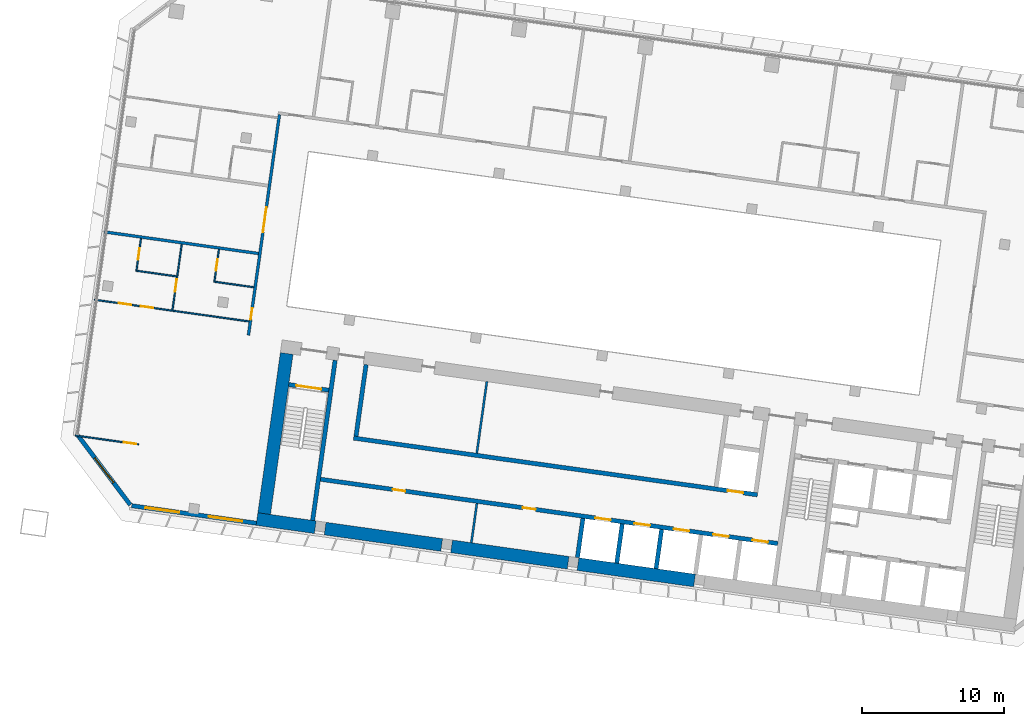
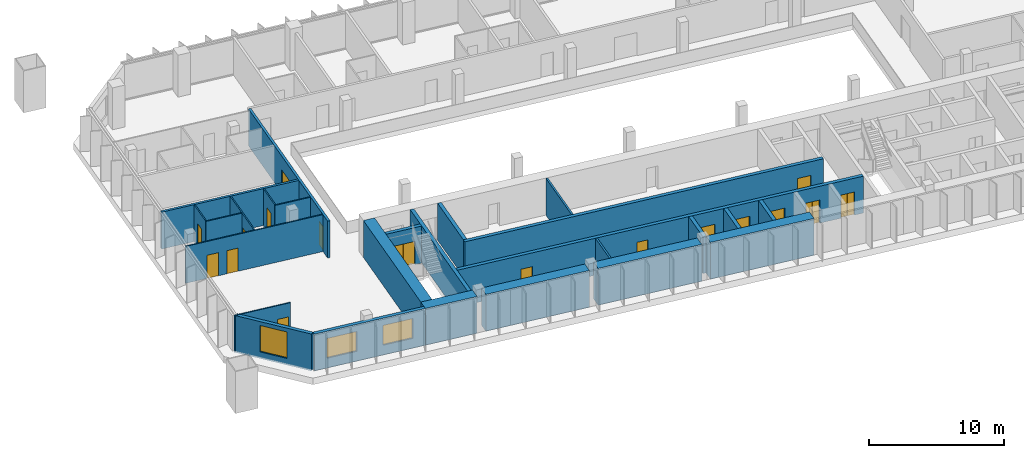
# One storey, part 14 of 24: 26 walls, 17 doors, 3 windows, 20 openings.
"""IFC4 building model written with IfcOpenShell, lengths in metres."""

import ifcopenshell
import ifcopenshell.guid

model = None  # the IFC model being written
_history = None  # IfcOwnerHistory: only IFC2X3 demands one
_inside = {}  # id of a spatial element -> (the spatial element, [elements in it])
_under = {}  # id of a project, library or spatial element -> (it, [spatial elements below it])
_declared = {}  # id of a project -> (the project, [libraries it declares])
_typed = {}  # id of a type object -> (the type object, [elements of that type])
_made_of = {}  # id of a material, layer set ... -> (it, [elements and type objects made of it])


def new_model(schema):
    """Start an empty IFC model of exactly this schema.

    Asked for "IFC4X3", IfcOpenShell would pick the latest addendum, in which some entities
    have other attributes; the version numbers below select the first issue.
    IFC2X3 requires an IfcOwnerHistory on every rooted entity: one is made here for all.
    """
    global model, _history
    if schema == "IFC4X3":
        model = ifcopenshell.file(schema_version=(4, 3, 0, 0))
    else:
        model = ifcopenshell.file(schema=schema)
    _inside.clear()
    _under.clear()
    _declared.clear()
    _typed.clear()
    _made_of.clear()
    _history = None
    if model.schema == "IFC2X3":
        org = make("IfcOrganization", Name="unknown")
        user = make(
            "IfcPersonAndOrganization",
            ThePerson=make("IfcPerson", FamilyName="unknown"),
            TheOrganization=org,
        )
        app = make(
            "IfcApplication",
            ApplicationDeveloper=org,
            Version="unknown",
            ApplicationFullName="unknown",
            ApplicationIdentifier="unknown",
        )
        _history = make(
            "IfcOwnerHistory",
            OwningUser=user,
            OwningApplication=app,
            ChangeAction="ADDED",
            CreationDate=0,
        )
    return model


def make(cls, **values):
    """One entity of the class cls with the attributes given. An attribute that is None is left unset."""
    return model.create_entity(
        cls, **{name: value for name, value in values.items() if value is not None}
    )


def rooted(cls, **values):
    """An entity with a GlobalId (a new one), such as an element, a storey or a relation."""
    return make(cls, GlobalId=ifcopenshell.guid.new(), OwnerHistory=_history, **values)


def si_unit(unit_type, name, prefix=None):
    """IfcSIUnit, for example si_unit("LENGTHUNIT", "METRE", prefix="MILLI")."""
    return make("IfcSIUnit", UnitType=unit_type, Prefix=prefix, Name=name)


def assignment(units):
    """IfcUnitAssignment: the units of a project."""
    return None if units is None else make("IfcUnitAssignment", Units=units)


def point(xyz):
    """IfcCartesianPoint."""
    return None if xyz is None else make("IfcCartesianPoint", Coordinates=xyz)


def direction(xyz):
    """IfcDirection."""
    return None if xyz is None else make("IfcDirection", DirectionRatios=xyz)


def frame(location, z_axis=None, x_axis=None):
    """IfcAxis2Placement3D, a coordinate frame: its origin and axes. An axis left out is left unset."""
    return make(
        "IfcAxis2Placement3D",
        Location=point(location),
        Axis=direction(z_axis),
        RefDirection=direction(x_axis),
    )


def frame_2d(location, x_axis=None):
    """IfcAxis2Placement2D, a coordinate frame in the plane: its origin and x axis."""
    return make(
        "IfcAxis2Placement2D", Location=point(location), RefDirection=direction(x_axis)
    )


def origin():
    """The frame at (0, 0, 0) with its axes left unset."""
    return frame((0.0, 0.0, 0.0))


def place(relative_to, where):
    """IfcLocalPlacement: puts the frame where relative to a parent placement (None: the world)."""
    return make(
        "IfcLocalPlacement", PlacementRelTo=relative_to, RelativePlacement=where
    )


def context(
    kind, dimensions, precision=None, world=None, true_north=None, identifier=None
):
    """IfcGeometricRepresentationContext, for example the 3D "Model" context."""
    return make(
        "IfcGeometricRepresentationContext",
        ContextIdentifier=identifier,
        ContextType=kind,
        CoordinateSpaceDimension=dimensions,
        Precision=precision,
        WorldCoordinateSystem=world,
        TrueNorth=true_north,
    )


def subcontext(parent, identifier, kind, view, scale=None):
    """IfcGeometricRepresentationSubContext, for example "Body" below "Model"."""
    return make(
        "IfcGeometricRepresentationSubContext",
        ContextIdentifier=identifier,
        ContextType=kind,
        ParentContext=parent,
        TargetScale=scale,
        TargetView=view,
    )


def project(units=None, contexts=None):
    """IfcProject with its units and contexts."""
    return rooted(
        "IfcProject",
        Name="project",
        RepresentationContexts=contexts,
        UnitsInContext=assignment(units),
    )


def spatial(cls, under=None, at=None, **own):
    """A site, building, storey or space (cls), placed at a placement, below another one or the project."""
    s = rooted(cls, ObjectPlacement=at, **own)
    if under is not None:
        _under.setdefault(under.id(), (under, []))[1].append(s)
    return s


def profile(cls, at=None, kind="AREA", **sizes):
    """A parametric profile (cls). Its sizes go by their IFC names, for example OverallWidth=200.0."""
    return make(cls, ProfileType=kind, Position=at, **sizes)


def rectangle(**sizes):
    """IfcRectangleProfileDef."""
    return profile("IfcRectangleProfileDef", **sizes)


def extrude(swept, where, along, depth):
    """IfcExtrudedAreaSolid: the profile swept, set in the frame where, extruded along a direction by depth."""
    return make(
        "IfcExtrudedAreaSolid",
        SweptArea=swept,
        Position=where,
        ExtrudedDirection=direction(along),
        Depth=depth,
    )


def shape(context_of_items, identifier, shape_type, items):
    """IfcShapeRepresentation: the items that make up one representation, for example the "Body"."""
    return make(
        "IfcShapeRepresentation",
        ContextOfItems=context_of_items,
        RepresentationIdentifier=identifier,
        RepresentationType=shape_type,
        Items=items,
    )


def material(Name=None, Category=None):
    """IfcMaterial."""
    return make("IfcMaterial", Name=Name, Category=Category)


def layer(
    of_material, thickness, ventilated=None, Name=None, Category=None, Priority=None
):
    """IfcMaterialLayer: one layer of a wall or slab, of a material (None: an air gap)."""
    return make(
        "IfcMaterialLayer",
        Material=of_material,
        LayerThickness=thickness,
        IsVentilated=ventilated,
        Name=Name,
        Category=Category,
        Priority=Priority,
    )


def layer_set(layers, Name=None):
    """IfcMaterialLayerSet."""
    return make("IfcMaterialLayerSet", MaterialLayers=layers, LayerSetName=Name)


def made_of(thing, what):
    """Note that an element or type object is made of a material, layer set ...; save() writes the relation."""
    if what is not None:
        _made_of.setdefault(what.id(), (what, []))[1].append(thing)
    return thing


def type_object(cls, material=None, **own):
    """A type object (cls), such as IfcWallType, which elements share."""
    return made_of(rooted(cls, **own), material)


def element(
    cls,
    number,
    at=None,
    inside=None,
    cuts=None,
    type_object=None,
    material=None,
    context=None,
    identifier="Body",
    shape_type=None,
    held_by="IfcProductDefinitionShape",
    body=None,
    shapes=None,
    **own,
):
    """One element of the class cls, such as IfcWall. Its Tag is "e" and its number.

    at: its placement. inside: the storey or other place that contains it. cuts: it is an
    opening in that element (IfcRelVoidsElement). A single representation is given by context,
    identifier, shape_type and body (its items); several are given by shapes. held_by: the class
    of the entity that holds the representations. save() writes the other relations.
    """
    e = rooted(cls, Tag="e%d" % number, ObjectPlacement=at, **own)
    if body is not None:
        shapes = [shape(context, identifier, shape_type, body)]
    if shapes is not None:
        e.Representation = make(held_by, Representations=shapes)
    if inside is not None:
        _inside.setdefault(inside.id(), (inside, []))[1].append(e)
    if cuts is not None:
        rooted(
            "IfcRelVoidsElement", RelatingBuildingElement=cuts, RelatedOpeningElement=e
        )
    if type_object is not None:
        _typed.setdefault(type_object.id(), (type_object, []))[1].append(e)
    return made_of(e, material)


def fill(opening, filler):
    """IfcRelFillsElement: the door or window that sits in an opening."""
    return rooted(
        "IfcRelFillsElement",
        RelatingOpeningElement=opening,
        RelatedBuildingElement=filler,
    )


def aggregate(whole, parts):
    """IfcRelAggregates: a whole, such as a stair, and the parts it consists of."""
    return rooted("IfcRelAggregates", RelatingObject=whole, RelatedObjects=parts)


def save(model, path):
    """Write the relations noted so far, then the file.

    IfcRelAggregates (storeys below a building ...), IfcRelContainedInSpatialStructure (elements
    in a storey), IfcRelDefinesByType, IfcRelAssociatesMaterial and IfcRelDeclares: one each for
    every whole, place, type object, material and project.
    """
    for whole, parts in _under.values():
        aggregate(whole, parts)
    for where, things in _inside.values():
        rooted(
            "IfcRelContainedInSpatialStructure",
            RelatedElements=things,
            RelatingStructure=where,
        )
    for kind, things in _typed.values():
        rooted("IfcRelDefinesByType", RelatedObjects=things, RelatingType=kind)
    for what, things in _made_of.values():
        rooted("IfcRelAssociatesMaterial", RelatedObjects=things, RelatingMaterial=what)
    for by, libraries in _declared.values():
        rooted("IfcRelDeclares", RelatingContext=by, RelatedDefinitions=libraries)
    model.write(path)


model = new_model("IFC4")

# Units and contexts
model_context = context("Model", 3, precision=1e-05, world=origin(), true_north=direction((0.0, 1.0)))
body_context = subcontext(model_context, "Body", "Model", "MODEL_VIEW")
ifc_project = project(units=[si_unit("LENGTHUNIT", "METRE"), si_unit("AREAUNIT", "SQUARE_METRE"), si_unit("VOLUMEUNIT", "CUBIC_METRE"), si_unit("PLANEANGLEUNIT", "RADIAN"), si_unit("MASSUNIT", "GRAM", prefix="KILO")], contexts=[model_context])

# Site, building, storey
site_placement = place(None, origin())
site = spatial("IfcSite", under=ifc_project, at=site_placement, CompositionType="ELEMENT")
building_placement = place(site_placement, origin())
building = spatial("IfcBuilding", under=site, at=building_placement, Name="Mirante Cascada Hotel Towers", CompositionType="ELEMENT")
storey_placement = place(building_placement, frame((0.0, 0.0, 77.5)))
storey = spatial("IfcBuildingStorey", under=building, at=storey_placement, Name="L16", CompositionType="ELEMENT", Elevation=77.5)

# Wall
ifc_material_1 = material(Name="Fire-rated plasterboard on metal studs")
ifc_layer_1 = layer(ifc_material_1, 0.2)
ifc_layer_set_1 = layer_set([ifc_layer_1], Name="Compartment wall 200 EI 120")
wall_type_1 = type_object("IfcWallType", Name="Compartment wall 200 EI 120", PredefinedType="PARTITIONING", material=ifc_layer_set_1)
wall_1_placement = place(storey_placement, frame((-101.2993, 8.0205, 0.0), z_axis=(0.0, 0.0, 1.0), x_axis=(0.990268, -0.1391733, 0.0)))
element("IfcWall", 1, at=wall_1_placement, inside=storey, type_object=wall_type_1, Name="Wall 1-L16-08", PredefinedType="PARTITIONING", context=body_context, shape_type="SweptSolid", body=[
    extrude(rectangle(XDim=11.0, YDim=0.2, at=frame_2d((5.5, 0.0))), origin(), (0.0, 0.0, 1.0), 3.35),
])

# Wall, openings, doors
wall_2_placement = place(storey_placement, frame((-91.1145, 0.7321, 0.0), z_axis=(0.0, 0.0, 1.0), x_axis=(0.1391721, 0.9902682, 0.0)))
wall_2 = element("IfcWall", 2, at=wall_2_placement, inside=storey, type_object=wall_type_1, Name="Wall 1-L16-41", PredefinedType="PARTITIONING", context=body_context, shape_type="SweptSolid", body=[
    extrude(rectangle(XDim=15.7, YDim=0.2, at=frame_2d((7.85, 0.0))), origin(), (0.0, 0.0, 1.0), 3.35),
])
opening_1_placement = place(wall_2_placement, frame((1.1167, 0.0, 0.0)))
opening_1 = element("IfcOpeningElement", 3, at=opening_1_placement, cuts=wall_2, Name="Opening D1-L16-25", PredefinedType="OPENING", context=body_context, shape_type="SweptSolid", body=[
    extrude(rectangle(XDim=0.8, YDim=2.1, at=frame_2d((0.4, 1.05))), frame((0.0, 0.1, 0.0), z_axis=(0.0, -1.0, 0.0), x_axis=(1.0, 0.0, 0.0)), (0.0, 0.0, 1.0), 0.2),
])
opening_2_placement = place(wall_2_placement, frame((7.3167, 0.0, 0.0)))
opening_2 = element("IfcOpeningElement", 4, at=opening_2_placement, cuts=wall_2, Name="Opening D1-L16-26", PredefinedType="OPENING", context=body_context, shape_type="SweptSolid", body=[
    extrude(rectangle(XDim=1.8, YDim=2.1, at=frame_2d((0.9, 1.05))), frame((0.0, 0.1, 0.0), z_axis=(0.0, -1.0, 0.0), x_axis=(1.0, 0.0, 0.0)), (0.0, 0.0, 1.0), 0.2),
])
ifc_material_2 = material(Name="Fire-rated timber door leaf", Category="wood")
door_type_1 = type_object("IfcDoorType", Name="Bathroom door DG4 800x2100 EI 60", OperationType="SINGLE_SWING_LEFT", PredefinedType="DOOR", material=ifc_material_2)
door_1_placement = place(opening_1_placement, frame((0.8, 0.0, 0.0), z_axis=(0.0, 0.0, 1.0), x_axis=(-1.0, 0.0, 0.0)))
door_1 = element("IfcDoor", 5, at=door_1_placement, inside=storey, type_object=door_type_1, Name="Door D1-L16-25", OperationType="SINGLE_SWING_RIGHT", OverallHeight=2.1, OverallWidth=0.8, PredefinedType="DOOR", context=body_context, shape_type="SweptSolid", body=[
    extrude(rectangle(XDim=0.8, YDim=2.1, at=frame_2d((0.4, 1.05))), frame((0.0, 0.025, 0.0), z_axis=(0.0, -1.0, 0.0), x_axis=(1.0, 0.0, 0.0)), (0.0, 0.0, 1.0), 0.05),
])
fill(opening_1, door_1)
ifc_material_3 = material(Name="Fire-rated timber door leaf", Category="wood")
door_type_2 = type_object("IfcDoorType", Name="Suite double door DG2 1800x2100 EI 60", OperationType="DOUBLE_DOOR_SINGLE_SWING", PredefinedType="DOOR", material=ifc_material_3)
door_2_placement = place(opening_2_placement, origin())
door_2 = element("IfcDoor", 6, at=door_2_placement, inside=storey, type_object=door_type_2, Name="Door D1-L16-26", OperationType="DOUBLE_DOOR_SINGLE_SWING", OverallHeight=2.1, OverallWidth=1.8, PredefinedType="DOOR", context=body_context, shape_type="SweptSolid", body=[
    extrude(rectangle(XDim=0.895, YDim=2.1, at=frame_2d((0.4475, 1.05))), frame((0.0, 0.025, 0.0), z_axis=(0.0, -1.0, 0.0), x_axis=(1.0, 0.0, 0.0)), (0.0, 0.0, 1.0), 0.05),
    extrude(rectangle(XDim=0.895, YDim=2.1, at=frame_2d((1.3525, 1.05))), frame((0.0, 0.025, 0.0), z_axis=(0.0, -1.0, 0.0), x_axis=(1.0, 0.0, 0.0)), (0.0, 0.0, 1.0), 0.05),
])
fill(opening_2, door_2)

# Walls
ifc_material_4 = material(Name="Masonry block", Category="masonry")
ifc_layer_2 = layer(ifc_material_4, 0.15)
ifc_layer_set_2 = layer_set([ifc_layer_2], Name="Core room partition 150 block EI 30")
wall_type_2 = type_object("IfcWallType", Name="Core room partition 150 block EI 30", PredefinedType="PARTITIONING", material=ifc_layer_set_2)
wall_3_placement = place(storey_placement, frame((-75.3976, -13.8977, 0.0), z_axis=(0.0, 0.0, 1.0), x_axis=(0.139141, 0.9902726, 0.0)))
element("IfcWall", 7, at=wall_3_placement, inside=storey, type_object=wall_type_2, Name="Core wall partition T1 L16 4", PredefinedType="PARTITIONING", context=body_context, shape_type="SweptSolid", body=[
    extrude(rectangle(XDim=2.8, YDim=0.15, at=frame_2d((1.4, 0.0))), origin(), (0.0, 0.0, 1.0), 3.35),
])
wall_4_placement = place(storey_placement, frame((-75.016, -7.5894, 0.0), z_axis=(0.0, 0.0, 1.0), x_axis=(0.1391755, 0.9902677, 0.0)))
element("IfcWall", 8, at=wall_4_placement, inside=storey, type_object=wall_type_2, Name="Core wall partition T1 L16 5", PredefinedType="PARTITIONING", context=body_context, shape_type="SweptSolid", body=[
    extrude(rectangle(XDim=5.1, YDim=0.15, at=frame_2d((2.55, 0.0))), origin(), (0.0, 0.0, 1.0), 3.35),
])

# Wall, opening, door
ifc_material_5 = material(Name="Plasterboard on metal studs")
ifc_layer_3 = layer(ifc_material_5, 0.1)
ifc_layer_set_3 = layer_set([ifc_layer_3], Name="Partition 100")
wall_type_3 = type_object("IfcWallType", Name="Partition 100", PredefinedType="PARTITIONING", material=ifc_layer_set_3)
wall_5_placement = place(storey_placement, frame((-98.8611, -6.9647, 0.0), z_axis=(0.0, 0.0, 1.0), x_axis=(-0.9902674, 0.1391779, 0.0)))
wall_5 = element("IfcWall", 9, at=wall_5_placement, inside=storey, type_object=wall_type_3, Name="Wall 1-L16-01", PredefinedType="PARTITIONING", context=body_context, shape_type="SweptSolid", body=[
    extrude(rectangle(XDim=4.5, YDim=0.1, at=frame_2d((2.25, 0.0))), origin(), (0.0, 0.0, 1.0), 3.35),
])
opening_3_placement = place(wall_5_placement, frame((0.15, 0.0, 0.0)))
opening_3 = element("IfcOpeningElement", 10, at=opening_3_placement, cuts=wall_5, Name="Opening D1-L16-01", PredefinedType="OPENING", context=body_context, shape_type="SweptSolid", body=[
    extrude(rectangle(XDim=0.9, YDim=2.1, at=frame_2d((0.45, 1.05))), frame((0.0, 0.05, 0.0), z_axis=(0.0, -1.0, 0.0), x_axis=(1.0, 0.0, 0.0)), (0.0, 0.0, 1.0), 0.1),
])
ifc_material_6 = material(Name="Timber door leaf", Category="wood")
door_type_3 = type_object("IfcDoorType", Name="Room door DG3 900x2100", OperationType="SINGLE_SWING_LEFT", PredefinedType="DOOR", material=ifc_material_6)
door_3_placement = place(opening_3_placement, frame((0.9, 0.0, 0.0), z_axis=(0.0, 0.0, 1.0), x_axis=(-1.0, 0.0, 0.0)))
door_3 = element("IfcDoor", 11, at=door_3_placement, inside=storey, type_object=door_type_3, Name="Door D1-L16-01", OperationType="SINGLE_SWING_RIGHT", OverallHeight=2.1, OverallWidth=0.9, PredefinedType="DOOR", context=body_context, shape_type="SweptSolid", body=[
    extrude(rectangle(XDim=0.9, YDim=2.1, at=frame_2d((0.45, 1.05))), frame((0.0, 0.025, 0.0), z_axis=(0.0, -1.0, 0.0), x_axis=(1.0, 0.0, 0.0)), (0.0, 0.0, 1.0), 0.05),
])
fill(opening_3, door_3)

# Wall, openings, doors
wall_6_placement = place(storey_placement, frame((-101.972, 3.2342, 0.0), z_axis=(0.0, 0.0, 1.0), x_axis=(0.9902682, -0.1391721, 0.0)))
wall_6 = element("IfcWall", 12, at=wall_6_placement, inside=storey, type_object=wall_type_3, Name="Wall 1-L16-02", PredefinedType="PARTITIONING", context=body_context, shape_type="SweptSolid", body=[
    extrude(rectangle(XDim=11.0001, YDim=0.1, at=frame_2d((5.5, 0.0))), origin(), (0.0, 0.0, 1.0), 3.35),
])
opening_4_placement = place(wall_6_placement, frame((3.3, 0.0, 0.0)))
opening_4 = element("IfcOpeningElement", 13, at=opening_4_placement, cuts=wall_6, Name="Opening D1-L16-02", PredefinedType="OPENING", context=body_context, shape_type="SweptSolid", body=[
    extrude(rectangle(XDim=0.9, YDim=2.1, at=frame_2d((0.45, 1.05))), frame((0.0, 0.05, 0.0), z_axis=(0.0, -1.0, 0.0), x_axis=(1.0, 0.0, 0.0)), (0.0, 0.0, 1.0), 0.1),
])
opening_5_placement = place(wall_6_placement, frame((1.725, 0.0, 0.0)))
opening_5 = element("IfcOpeningElement", 14, at=opening_5_placement, cuts=wall_6, Name="Opening D1-L16-03", PredefinedType="OPENING", context=body_context, shape_type="SweptSolid", body=[
    extrude(rectangle(XDim=0.9, YDim=2.1, at=frame_2d((0.45, 1.05))), frame((0.0, 0.05, 0.0), z_axis=(0.0, -1.0, 0.0), x_axis=(1.0, 0.0, 0.0)), (0.0, 0.0, 1.0), 0.1),
])
door_4_placement = place(opening_4_placement, frame((0.9, 0.0, 0.0), z_axis=(0.0, 0.0, 1.0), x_axis=(-1.0, 0.0, 0.0)))
door_4 = element("IfcDoor", 15, at=door_4_placement, inside=storey, type_object=door_type_3, Name="Door D1-L16-02", OperationType="SINGLE_SWING_RIGHT", OverallHeight=2.1, OverallWidth=0.9, PredefinedType="DOOR", context=body_context, shape_type="SweptSolid", body=[
    extrude(rectangle(XDim=0.9, YDim=2.1, at=frame_2d((0.45, 1.05))), frame((0.0, 0.025, 0.0), z_axis=(0.0, -1.0, 0.0), x_axis=(1.0, 0.0, 0.0)), (0.0, 0.0, 1.0), 0.05),
])
fill(opening_4, door_4)
door_5_placement = place(opening_5_placement, frame((0.9, 0.0, 0.0), z_axis=(0.0, 0.0, 1.0), x_axis=(-1.0, 0.0, 0.0)))
door_5 = element("IfcDoor", 16, at=door_5_placement, inside=storey, type_object=door_type_3, Name="Door D1-L16-03", OperationType="SINGLE_SWING_RIGHT", OverallHeight=2.1, OverallWidth=0.9, PredefinedType="DOOR", context=body_context, shape_type="SweptSolid", body=[
    extrude(rectangle(XDim=0.9, YDim=2.1, at=frame_2d((0.45, 1.05))), frame((0.0, 0.025, 0.0), z_axis=(0.0, -1.0, 0.0), x_axis=(1.0, 0.0, 0.0)), (0.0, 0.0, 1.0), 0.05),
])
fill(opening_5, door_5)

# Walls
wall_7_placement = place(storey_placement, frame((-90.7404, 4.1129, 0.0), z_axis=(0.0, 0.0, 1.0), x_axis=(-0.9902649, 0.1391957, 0.0)))
element("IfcWall", 17, at=wall_7_placement, inside=storey, type_object=wall_type_3, Name="Wall 1-L16-05", PredefinedType="PARTITIONING", context=body_context, shape_type="SweptSolid", body=[
    extrude(rectangle(XDim=2.8499, YDim=0.1, at=frame_2d((1.425, 0.0))), origin(), (0.0, 0.0, 1.0), 3.35),
])
wall_8_placement = place(storey_placement, frame((-99.0586, 5.282, 0.0), z_axis=(0.0, 0.0, 1.0), x_axis=(0.9902683, -0.1391714, 0.0)))
element("IfcWall", 18, at=wall_8_placement, inside=storey, type_object=wall_type_3, Name="Wall 1-L16-06", PredefinedType="PARTITIONING", context=body_context, shape_type="SweptSolid", body=[
    extrude(rectangle(XDim=2.9, YDim=0.1, at=frame_2d((1.45, 0.0))), origin(), (0.0, 0.0, 1.0), 3.35),
])

# Wall, opening, door
wall_9_placement = place(storey_placement, frame((-93.193, 6.7802, 0.0), z_axis=(0.0, 0.0, 1.0), x_axis=(-0.1391997, -0.9902643, 0.0)))
wall_9 = element("IfcWall", 19, at=wall_9_placement, inside=storey, type_object=wall_type_3, Name="Wall 1-L16-42", PredefinedType="PARTITIONING", context=body_context, shape_type="SweptSolid", body=[
    extrude(rectangle(XDim=2.25, YDim=0.1, at=frame_2d((1.125, 0.0))), origin(), (0.0, 0.0, 1.0), 3.35),
])
opening_6_placement = place(wall_9_placement, frame((0.7, 0.0, 0.0)))
opening_6 = element("IfcOpeningElement", 20, at=opening_6_placement, cuts=wall_9, Name="Opening D1-L16-27", PredefinedType="OPENING", context=body_context, shape_type="SweptSolid", body=[
    extrude(rectangle(XDim=0.8, YDim=2.1, at=frame_2d((0.4, 1.05))), frame((0.0, 0.05, 0.0), z_axis=(0.0, -1.0, 0.0), x_axis=(1.0, 0.0, 0.0)), (0.0, 0.0, 1.0), 0.1),
])
ifc_material_7 = material(Name="Timber door leaf", Category="wood")
door_type_4 = type_object("IfcDoorType", Name="Bathroom door DG4 800x2100", OperationType="SINGLE_SWING_LEFT", PredefinedType="DOOR", material=ifc_material_7)
door_6_placement = place(opening_6_placement, origin())
door_6 = element("IfcDoor", 21, at=door_6_placement, inside=storey, type_object=door_type_4, Name="Door D1-L16-27", OperationType="SINGLE_SWING_LEFT", OverallHeight=2.1, OverallWidth=0.8, PredefinedType="DOOR", context=body_context, shape_type="SweptSolid", body=[
    extrude(rectangle(XDim=0.8, YDim=2.1, at=frame_2d((0.4, 1.05))), frame((0.0, 0.025, 0.0), z_axis=(0.0, -1.0, 0.0), x_axis=(1.0, 0.0, 0.0)), (0.0, 0.0, 1.0), 0.05),
])
fill(opening_6, door_6)

wall_10_placement = place(storey_placement, frame((-95.8172, 7.149, 0.0), z_axis=(0.0, 0.0, 1.0), x_axis=(-0.139176, -0.9902677, 0.0)))
wall_10 = element("IfcWall", 22, at=wall_10_placement, inside=storey, type_object=wall_type_3, Name="Wall 1-L16-44", PredefinedType="PARTITIONING", context=body_context, shape_type="SweptSolid", body=[
    extrude(rectangle(XDim=4.6833, YDim=0.1, at=frame_2d((2.3416, 0.0))), origin(), (0.0, 0.0, 1.0), 3.35),
])
opening_7_placement = place(wall_10_placement, frame((2.4833, 0.0, 0.0)))
opening_7 = element("IfcOpeningElement", 23, at=opening_7_placement, cuts=wall_10, Name="Opening D1-L16-29", PredefinedType="OPENING", context=body_context, shape_type="SweptSolid", body=[
    extrude(rectangle(XDim=0.9, YDim=2.1, at=frame_2d((0.45, 1.05))), frame((0.0, 0.05, 0.0), z_axis=(0.0, -1.0, 0.0), x_axis=(1.0, 0.0, 0.0)), (0.0, 0.0, 1.0), 0.1),
])
door_7_placement = place(opening_7_placement, origin())
door_7 = element("IfcDoor", 24, at=door_7_placement, inside=storey, type_object=door_type_3, Name="Door D1-L16-29", OperationType="SINGLE_SWING_LEFT", OverallHeight=2.1, OverallWidth=0.9, PredefinedType="DOOR", context=body_context, shape_type="SweptSolid", body=[
    extrude(rectangle(XDim=0.9, YDim=2.1, at=frame_2d((0.45, 1.05))), frame((0.0, 0.025, 0.0), z_axis=(0.0, -1.0, 0.0), x_axis=(1.0, 0.0, 0.0)), (0.0, 0.0, 1.0), 0.05),
])
fill(opening_7, door_7)

wall_11_placement = place(storey_placement, frame((-98.689, 7.5526, 0.0), z_axis=(0.0, 0.0, 1.0), x_axis=(-0.1391561, -0.9902705, 0.0)))
wall_11 = element("IfcWall", 25, at=wall_11_placement, inside=storey, type_object=wall_type_3, Name="Wall 1-L16-46", PredefinedType="PARTITIONING", context=body_context, shape_type="SweptSolid", body=[
    extrude(rectangle(XDim=2.25, YDim=0.1, at=frame_2d((1.125, 0.0))), origin(), (0.0, 0.0, 1.0), 3.35),
])
opening_8_placement = place(wall_11_placement, frame((0.7, 0.0, 0.0)))
opening_8 = element("IfcOpeningElement", 26, at=opening_8_placement, cuts=wall_11, Name="Opening D1-L16-30", PredefinedType="OPENING", context=body_context, shape_type="SweptSolid", body=[
    extrude(rectangle(XDim=0.8, YDim=2.1, at=frame_2d((0.4, 1.05))), frame((0.0, 0.05, 0.0), z_axis=(0.0, -1.0, 0.0), x_axis=(1.0, 0.0, 0.0)), (0.0, 0.0, 1.0), 0.1),
])
door_8_placement = place(opening_8_placement, origin())
door_8 = element("IfcDoor", 27, at=door_8_placement, inside=storey, type_object=door_type_4, Name="Door D1-L16-30", OperationType="SINGLE_SWING_LEFT", OverallHeight=2.1, OverallWidth=0.8, PredefinedType="DOOR", context=body_context, shape_type="SweptSolid", body=[
    extrude(rectangle(XDim=0.8, YDim=2.1, at=frame_2d((0.4, 1.05))), frame((0.0, 0.025, 0.0), z_axis=(0.0, -1.0, 0.0), x_axis=(1.0, 0.0, 0.0)), (0.0, 0.0, 1.0), 0.05),
])
fill(opening_8, door_8)

# Wall, openings, windows
ifc_material_8 = material(Name="Precast concrete C40/50", Category="concrete")
ifc_layer_4 = layer(ifc_material_8, 0.3)
ifc_layer_set_4 = layer_set([ifc_layer_4], Name="Precast concrete C40/50 cladding wall 300")
wall_type_4 = type_object("IfcWallType", Name="Precast concrete C40/50 cladding wall 300", PredefinedType="STANDARD", material=ifc_layer_set_4)
wall_12_placement = place(storey_placement, frame((-90.5541, -12.5249, 0.0), z_axis=(0.0, 0.0, 1.0), x_axis=(-0.9902678, 0.1391749, 0.0)))
wall_12 = element("IfcWall", 28, at=wall_12_placement, inside=storey, type_object=wall_type_4, Name="Rear cladding wall T1 L16 1", PredefinedType="STANDARD", context=body_context, shape_type="SweptSolid", body=[
    extrude(rectangle(XDim=8.8759, YDim=0.3, at=frame_2d((4.438, 0.0))), origin(), (0.0, 0.0, 1.0), 3.35),
])
opening_9_placement = place(wall_12_placement, frame((1.0012, 0.0, 0.9)))
opening_9 = element("IfcOpeningElement", 29, at=opening_9_placement, cuts=wall_12, Name="Opening W1-16-01", PredefinedType="OPENING", context=body_context, shape_type="SweptSolid", body=[
    extrude(rectangle(XDim=2.4, YDim=1.8, at=frame_2d((1.2, 0.9))), frame((0.0, 0.15, 0.0), z_axis=(0.0, -1.0, 0.0), x_axis=(1.0, 0.0, 0.0)), (0.0, 0.0, 1.0), 0.3),
])
opening_10_placement = place(wall_12_placement, frame((5.4923, 0.0, 0.9)))
opening_10 = element("IfcOpeningElement", 30, at=opening_10_placement, cuts=wall_12, Name="Opening W1-16-02", PredefinedType="OPENING", context=body_context, shape_type="SweptSolid", body=[
    extrude(rectangle(XDim=2.4, YDim=1.8, at=frame_2d((1.2, 0.9))), frame((0.0, 0.15, 0.0), z_axis=(0.0, -1.0, 0.0), x_axis=(1.0, 0.0, 0.0)), (0.0, 0.0, 1.0), 0.3),
])
ifc_material_9 = material(Name="Aluminium frame with clear double glazing", Category="aluminium")
window_type_1 = type_object("IfcWindowType", Name="Punched window 2400x1800", PartitioningType="DOUBLE_PANEL_VERTICAL", PredefinedType="WINDOW", material=ifc_material_9)
window_1_placement = place(opening_9_placement, origin())
window_1 = element("IfcWindow", 31, at=window_1_placement, inside=storey, type_object=window_type_1, Name="Window W1-16-01", OverallHeight=1.8, OverallWidth=2.4, PartitioningType="SINGLE_PANEL", PredefinedType="WINDOW", context=body_context, shape_type="SweptSolid", body=[
    extrude(rectangle(XDim=2.4, YDim=1.8, at=frame_2d((1.2, 0.9))), frame((0.0, 0.03, 0.0), z_axis=(0.0, -1.0, 0.0), x_axis=(1.0, 0.0, 0.0)), (0.0, 0.0, 1.0), 0.06),
])
fill(opening_9, window_1)
window_2_placement = place(opening_10_placement, origin())
window_2 = element("IfcWindow", 32, at=window_2_placement, inside=storey, type_object=window_type_1, Name="Window W1-16-02", OverallHeight=1.8, OverallWidth=2.4, PartitioningType="SINGLE_PANEL", PredefinedType="WINDOW", context=body_context, shape_type="SweptSolid", body=[
    extrude(rectangle(XDim=2.4, YDim=1.8, at=frame_2d((1.2, 0.9))), frame((0.0, 0.03, 0.0), z_axis=(0.0, -1.0, 0.0), x_axis=(1.0, 0.0, 0.0)), (0.0, 0.0, 1.0), 0.06),
])
fill(opening_10, window_2)

# Wall, opening, window
wall_13_placement = place(storey_placement, frame((-99.4423, -11.2315, 0.0), z_axis=(0.0, 0.0, 1.0), x_axis=(-0.6018141, 0.7986362, 0.0)))
wall_13 = element("IfcWall", 33, at=wall_13_placement, inside=storey, type_object=wall_type_4, Name="Corner cladding wall T1 L16 rear outer", PredefinedType="STANDARD", context=body_context, shape_type="SweptSolid", body=[
    extrude(rectangle(XDim=6.1157, YDim=0.3, at=frame_2d((3.0578, 0.0))), origin(), (0.0, 0.0, 1.0), 3.35),
])
opening_11_placement = place(wall_13_placement, frame((1.9578, 0.0, 0.6)))
opening_11 = element("IfcOpeningElement", 34, at=opening_11_placement, cuts=wall_13, Name="Opening W1-16-03", PredefinedType="OPENING", context=body_context, shape_type="SweptSolid", body=[
    extrude(rectangle(XDim=2.2, YDim=2.4, at=frame_2d((1.1, 1.2))), frame((0.0, 0.15, 0.0), z_axis=(0.0, -1.0, 0.0), x_axis=(1.0, 0.0, 0.0)), (0.0, 0.0, 1.0), 0.3),
])
ifc_material_10 = material(Name="Aluminium frame with clear double glazing", Category="aluminium")
window_type_2 = type_object("IfcWindowType", Name="Corner suite window 2200x2400", PartitioningType="DOUBLE_PANEL_VERTICAL", PredefinedType="WINDOW", material=ifc_material_10)
window_3_placement = place(opening_11_placement, origin())
window_3 = element("IfcWindow", 35, at=window_3_placement, inside=storey, type_object=window_type_2, Name="Window W1-16-03", OverallHeight=2.4, OverallWidth=2.2, PartitioningType="SINGLE_PANEL", PredefinedType="WINDOW", context=body_context, shape_type="SweptSolid", body=[
    extrude(rectangle(XDim=2.2, YDim=2.4, at=frame_2d((1.1, 1.2))), frame((0.0, 0.03, 0.0), z_axis=(0.0, -1.0, 0.0), x_axis=(1.0, 0.0, 0.0)), (0.0, 0.0, 1.0), 0.06),
])
fill(opening_11, window_3)

# Wall
ifc_material_11 = material(Name="Concrete C50/60", Category="concrete")
ifc_layer_5 = layer(ifc_material_11, 0.3)
ifc_layer_set_5 = layer_set([ifc_layer_5], Name="RC core wall 300 C50/60")
wall_type_5 = type_object("IfcWallType", Name="RC core wall 300 C50/60", PredefinedType="SHEAR", material=ifc_layer_set_5)
wall_14_placement = place(storey_placement, frame((-86.5877, -12.325, 0.0), z_axis=(0.0, 0.0, 1.0), x_axis=(0.1391749, 0.9902678, 0.0)))
element("IfcWall", 36, at=wall_14_placement, inside=storey, type_object=wall_type_5, Name="Core wall T1:L16:8", PredefinedType="SHEAR", context=body_context, shape_type="SweptSolid", body=[
    extrude(rectangle(XDim=11.4, YDim=0.3, at=frame_2d((5.7, 0.0))), origin(), (0.0, 0.0, 1.0), 3.35),
])

# Wall, opening, door
wall_15_placement = place(storey_placement, frame((-85.4489, -3.1441, 0.0), z_axis=(0.0, 0.0, 1.0), x_axis=(-0.9902697, 0.1391613, 0.0)))
wall_15 = element("IfcWall", 37, at=wall_15_placement, inside=storey, type_object=wall_type_5, Name="Core wall T1:L16:11", PredefinedType="SHEAR", context=body_context, shape_type="SweptSolid", body=[
    extrude(rectangle(XDim=2.8499, YDim=0.3, at=frame_2d((1.425, 0.0))), origin(), (0.0, 0.0, 1.0), 3.35),
])
opening_12_placement = place(wall_15_placement, frame((0.525, 0.0, 0.0)))
opening_12 = element("IfcOpeningElement", 38, at=opening_12_placement, cuts=wall_15, Name="Opening D1-16-C17", PredefinedType="OPENING", context=body_context, shape_type="SweptSolid", body=[
    extrude(rectangle(XDim=1.8, YDim=2.1, at=frame_2d((0.9, 1.05))), frame((0.0, 0.15, 0.0), z_axis=(0.0, -1.0, 0.0), x_axis=(1.0, 0.0, 0.0)), (0.0, 0.0, 1.0), 0.3),
])
ifc_material_12 = material(Name="Hollow metal fire door leaf")
door_type_5 = type_object("IfcDoorType", Name="Double fire door 1800x2100 FD60", OperationType="DOUBLE_DOOR_SINGLE_SWING", PredefinedType="DOOR", material=ifc_material_12)
door_9_placement = place(opening_12_placement, origin())
door_9 = element("IfcDoor", 39, at=door_9_placement, inside=storey, type_object=door_type_5, Name="Stair door T1 L16 17", OperationType="DOUBLE_DOOR_SINGLE_SWING", OverallHeight=2.1, OverallWidth=1.8, PredefinedType="DOOR", context=body_context, shape_type="SweptSolid", body=[
    extrude(rectangle(XDim=0.895, YDim=2.1, at=frame_2d((0.4475, 1.05))), frame((0.0, 0.025, 0.0), z_axis=(0.0, -1.0, 0.0), x_axis=(1.0, 0.0, 0.0)), (0.0, 0.0, 1.0), 0.05),
    extrude(rectangle(XDim=0.895, YDim=2.1, at=frame_2d((1.3525, 1.05))), frame((0.0, 0.025, 0.0), z_axis=(0.0, -1.0, 0.0), x_axis=(1.0, 0.0, 0.0)), (0.0, 0.0, 1.0), 0.05),
])
fill(opening_12, door_9)

# Wall, openings, doors
wall_16_placement = place(storey_placement, frame((-53.7953, -13.9547, 0.0), z_axis=(0.0, 0.0, 1.0), x_axis=(-0.990268, 0.1391733, 0.0)))
wall_16 = element("IfcWall", 40, at=wall_16_placement, inside=storey, type_object=wall_type_5, Name="Core wall T1:L16:24", PredefinedType="SHEAR", context=body_context, shape_type="SweptSolid", body=[
    extrude(rectangle(XDim=32.5501, YDim=0.3, at=frame_2d((16.275, 0.0))), origin(), (0.0, 0.0, 1.0), 3.35),
])
opening_13_placement = place(wall_16_placement, frame((0.7, 0.0, 0.0)))
opening_13 = element("IfcOpeningElement", 41, at=opening_13_placement, cuts=wall_16, Name="Opening LD", PredefinedType="OPENING", context=body_context, shape_type="SweptSolid", body=[
    extrude(rectangle(XDim=1.1, YDim=2.1, at=frame_2d((0.55, 1.05))), frame((0.0, 0.15, 0.0), z_axis=(0.0, -1.0, 0.0), x_axis=(1.0, 0.0, 0.0)), (0.0, 0.0, 1.0), 0.3),
])
opening_14_placement = place(wall_16_placement, frame((3.5, 0.0, 0.0)))
opening_14 = element("IfcOpeningElement", 42, at=opening_14_placement, cuts=wall_16, Name="Opening LD", PredefinedType="OPENING", context=body_context, shape_type="SweptSolid", body=[
    extrude(rectangle(XDim=1.1, YDim=2.1, at=frame_2d((0.55, 1.05))), frame((0.0, 0.15, 0.0), z_axis=(0.0, -1.0, 0.0), x_axis=(1.0, 0.0, 0.0)), (0.0, 0.0, 1.0), 0.3),
])
opening_15_placement = place(wall_16_placement, frame((6.3, 0.0, 0.0)))
opening_15 = element("IfcOpeningElement", 43, at=opening_15_placement, cuts=wall_16, Name="Opening LD", PredefinedType="OPENING", context=body_context, shape_type="SweptSolid", body=[
    extrude(rectangle(XDim=1.1, YDim=2.1, at=frame_2d((0.55, 1.05))), frame((0.0, 0.15, 0.0), z_axis=(0.0, -1.0, 0.0), x_axis=(1.0, 0.0, 0.0)), (0.0, 0.0, 1.0), 0.3),
])
opening_16_placement = place(wall_16_placement, frame((9.1, 0.0, 0.0)))
opening_16 = element("IfcOpeningElement", 44, at=opening_16_placement, cuts=wall_16, Name="Opening LD", PredefinedType="OPENING", context=body_context, shape_type="SweptSolid", body=[
    extrude(rectangle(XDim=1.1, YDim=2.1, at=frame_2d((0.55, 1.05))), frame((0.0, 0.15, 0.0), z_axis=(0.0, -1.0, 0.0), x_axis=(1.0, 0.0, 0.0)), (0.0, 0.0, 1.0), 0.3),
])
opening_17_placement = place(wall_16_placement, frame((11.9, 0.0, 0.0)))
opening_17 = element("IfcOpeningElement", 45, at=opening_17_placement, cuts=wall_16, Name="Opening LD", PredefinedType="OPENING", context=body_context, shape_type="SweptSolid", body=[
    extrude(rectangle(XDim=1.1, YDim=2.1, at=frame_2d((0.55, 1.05))), frame((0.0, 0.15, 0.0), z_axis=(0.0, -1.0, 0.0), x_axis=(1.0, 0.0, 0.0)), (0.0, 0.0, 1.0), 0.3),
])
opening_18_placement = place(wall_16_placement, frame((17.25, 0.0, 0.0)))
opening_18 = element("IfcOpeningElement", 46, at=opening_18_placement, cuts=wall_16, Name="Opening D1-16-C25", PredefinedType="OPENING", context=body_context, shape_type="SweptSolid", body=[
    extrude(rectangle(XDim=0.9, YDim=2.1, at=frame_2d((0.45, 1.05))), frame((0.0, 0.15, 0.0), z_axis=(0.0, -1.0, 0.0), x_axis=(1.0, 0.0, 0.0)), (0.0, 0.0, 1.0), 0.3),
])
opening_19_placement = place(wall_16_placement, frame((26.525, 0.0, 0.0)))
opening_19 = element("IfcOpeningElement", 47, at=opening_19_placement, cuts=wall_16, Name="Opening D1-16-C26", PredefinedType="OPENING", context=body_context, shape_type="SweptSolid", body=[
    extrude(rectangle(XDim=0.9, YDim=2.1, at=frame_2d((0.45, 1.05))), frame((0.0, 0.15, 0.0), z_axis=(0.0, -1.0, 0.0), x_axis=(1.0, 0.0, 0.0)), (0.0, 0.0, 1.0), 0.3),
])
ifc_material_13 = material(Name="Hollow metal fire door leaf")
door_type_6 = type_object("IfcDoorType", Name="Fire door 900x2100 FD60", OperationType="NOTDEFINED", PredefinedType="DOOR", material=ifc_material_13)
door_10_placement = place(opening_18_placement, origin())
door_10 = element("IfcDoor", 48, at=door_10_placement, inside=storey, type_object=door_type_6, Name="Room door T1 L16 25", OperationType="SINGLE_SWING_LEFT", OverallHeight=2.1, OverallWidth=0.9, PredefinedType="DOOR", context=body_context, shape_type="SweptSolid", body=[
    extrude(rectangle(XDim=0.9, YDim=2.1, at=frame_2d((0.45, 1.05))), frame((0.0, 0.025, 0.0), z_axis=(0.0, -1.0, 0.0), x_axis=(1.0, 0.0, 0.0)), (0.0, 0.0, 1.0), 0.05),
])
fill(opening_18, door_10)
door_11_placement = place(opening_19_placement, origin())
door_11 = element("IfcDoor", 49, at=door_11_placement, inside=storey, type_object=door_type_6, Name="Room door T1 L16 26", OperationType="SINGLE_SWING_LEFT", OverallHeight=2.1, OverallWidth=0.9, PredefinedType="DOOR", context=body_context, shape_type="SweptSolid", body=[
    extrude(rectangle(XDim=0.9, YDim=2.1, at=frame_2d((0.45, 1.05))), frame((0.0, 0.025, 0.0), z_axis=(0.0, -1.0, 0.0), x_axis=(1.0, 0.0, 0.0)), (0.0, 0.0, 1.0), 0.05),
])
fill(opening_19, door_11)
ifc_material_14 = material(Name="Stainless steel", Category="steel")
door_type_7 = type_object("IfcDoorType", Name="Lift landing door 1100x2100 EI 120", OperationType="DOUBLE_DOOR_SLIDING", PredefinedType="DOOR", material=ifc_material_14)
door_12_placement = place(opening_13_placement, origin())
door_12 = element("IfcDoor", 50, at=door_12_placement, inside=storey, type_object=door_type_7, Name="Lift landing door LR1-1 L16", OperationType="DOUBLE_DOOR_SLIDING", OverallHeight=2.1, OverallWidth=1.1, PredefinedType="DOOR", context=body_context, shape_type="SweptSolid", body=[
    extrude(rectangle(XDim=0.545, YDim=2.1, at=frame_2d((0.2725, 1.05))), frame((0.0, 0.025, 0.0), z_axis=(0.0, -1.0, 0.0), x_axis=(1.0, 0.0, 0.0)), (0.0, 0.0, 1.0), 0.05),
    extrude(rectangle(XDim=0.545, YDim=2.1, at=frame_2d((0.8275, 1.05))), frame((0.0, 0.025, 0.0), z_axis=(0.0, -1.0, 0.0), x_axis=(1.0, 0.0, 0.0)), (0.0, 0.0, 1.0), 0.05),
])
fill(opening_13, door_12)
door_13_placement = place(opening_14_placement, origin())
door_13 = element("IfcDoor", 51, at=door_13_placement, inside=storey, type_object=door_type_7, Name="Lift landing door LR1-2 L16", OperationType="DOUBLE_DOOR_SLIDING", OverallHeight=2.1, OverallWidth=1.1, PredefinedType="DOOR", context=body_context, shape_type="SweptSolid", body=[
    extrude(rectangle(XDim=0.545, YDim=2.1, at=frame_2d((0.2725, 1.05))), frame((0.0, 0.025, 0.0), z_axis=(0.0, -1.0, 0.0), x_axis=(1.0, 0.0, 0.0)), (0.0, 0.0, 1.0), 0.05),
    extrude(rectangle(XDim=0.545, YDim=2.1, at=frame_2d((0.8275, 1.05))), frame((0.0, 0.025, 0.0), z_axis=(0.0, -1.0, 0.0), x_axis=(1.0, 0.0, 0.0)), (0.0, 0.0, 1.0), 0.05),
])
fill(opening_14, door_13)
door_14_placement = place(opening_15_placement, origin())
door_14 = element("IfcDoor", 52, at=door_14_placement, inside=storey, type_object=door_type_7, Name="Lift landing door SV1-1 L16", OperationType="DOUBLE_DOOR_SLIDING", OverallHeight=2.1, OverallWidth=1.1, PredefinedType="DOOR", context=body_context, shape_type="SweptSolid", body=[
    extrude(rectangle(XDim=0.545, YDim=2.1, at=frame_2d((0.2725, 1.05))), frame((0.0, 0.025, 0.0), z_axis=(0.0, -1.0, 0.0), x_axis=(1.0, 0.0, 0.0)), (0.0, 0.0, 1.0), 0.05),
    extrude(rectangle(XDim=0.545, YDim=2.1, at=frame_2d((0.8275, 1.05))), frame((0.0, 0.025, 0.0), z_axis=(0.0, -1.0, 0.0), x_axis=(1.0, 0.0, 0.0)), (0.0, 0.0, 1.0), 0.05),
])
fill(opening_15, door_14)
door_15_placement = place(opening_16_placement, origin())
door_15 = element("IfcDoor", 53, at=door_15_placement, inside=storey, type_object=door_type_7, Name="Lift landing door SV1-2 L16", OperationType="DOUBLE_DOOR_SLIDING", OverallHeight=2.1, OverallWidth=1.1, PredefinedType="DOOR", context=body_context, shape_type="SweptSolid", body=[
    extrude(rectangle(XDim=0.545, YDim=2.1, at=frame_2d((0.2725, 1.05))), frame((0.0, 0.025, 0.0), z_axis=(0.0, -1.0, 0.0), x_axis=(1.0, 0.0, 0.0)), (0.0, 0.0, 1.0), 0.05),
    extrude(rectangle(XDim=0.545, YDim=2.1, at=frame_2d((0.8275, 1.05))), frame((0.0, 0.025, 0.0), z_axis=(0.0, -1.0, 0.0), x_axis=(1.0, 0.0, 0.0)), (0.0, 0.0, 1.0), 0.05),
])
fill(opening_16, door_15)
door_16_placement = place(opening_17_placement, origin())
door_16 = element("IfcDoor", 54, at=door_16_placement, inside=storey, type_object=door_type_7, Name="Lift landing door SV1-3 L16", OperationType="DOUBLE_DOOR_SLIDING", OverallHeight=2.1, OverallWidth=1.1, PredefinedType="DOOR", context=body_context, shape_type="SweptSolid", body=[
    extrude(rectangle(XDim=0.545, YDim=2.1, at=frame_2d((0.2725, 1.05))), frame((0.0, 0.025, 0.0), z_axis=(0.0, -1.0, 0.0), x_axis=(1.0, 0.0, 0.0)), (0.0, 0.0, 1.0), 0.05),
    extrude(rectangle(XDim=0.545, YDim=2.1, at=frame_2d((0.8275, 1.05))), frame((0.0, 0.025, 0.0), z_axis=(0.0, -1.0, 0.0), x_axis=(1.0, 0.0, 0.0)), (0.0, 0.0, 1.0), 0.05),
])
fill(opening_17, door_16)

# Walls
for number, where, z_axis, x_axis, name in (
    (55, (-62.3756, -15.7278, 0.0), (0.0, 0.0, 1.0), (0.139176, 0.9902677, 0.0), "Core wall T1:L16:27"),
    (56, (-65.1484, -15.3381, 0.0), (0.0, 0.0, 1.0), (0.139176, 0.9902677, 0.0), "Core wall T1:L16:28"),
):
    element("IfcWall", number, at=place(storey_placement, frame(where, z_axis=z_axis, x_axis=x_axis)), inside=storey, type_object=wall_type_5, Name=name, PredefinedType="SHEAR", context=body_context, shape_type="SweptSolid", body=[
        extrude(rectangle(XDim=2.8001, YDim=0.3, at=frame_2d((1.4, 0.0))), origin(), (0.0, 0.0, 1.0), 3.35),
    ])
wall_17_placement = place(storey_placement, frame((-67.9211, -14.9484, 0.0), z_axis=(0.0, 0.0, 1.0), x_axis=(0.139181, 0.990267, 0.0)))
element("IfcWall", 57, at=wall_17_placement, inside=storey, type_object=wall_type_5, Name="Core wall T1:L16:29", PredefinedType="SHEAR", context=body_context, shape_type="SweptSolid", body=[
    extrude(rectangle(XDim=2.8, YDim=0.3, at=frame_2d((1.4, 0.0))), origin(), (0.0, 0.0, 1.0), 3.35),
])

# Wall, opening, door
wall_18_placement = place(storey_placement, frame((-55.2315, -10.5214, 0.0), z_axis=(0.0, 0.0, 1.0), x_axis=(-0.9902682, 0.1391722, 0.0)))
wall_18 = element("IfcWall", 58, at=wall_18_placement, inside=storey, type_object=wall_type_5, Name="Core wall T1:L16:31", PredefinedType="SHEAR", context=body_context, shape_type="SweptSolid", body=[
    extrude(rectangle(XDim=28.75, YDim=0.3, at=frame_2d((14.375, 0.0))), origin(), (0.0, 0.0, 1.0), 3.35),
])
opening_20_placement = place(wall_18_placement, frame((1.0, 0.0, 0.0)))
opening_20 = element("IfcOpeningElement", 59, at=opening_20_placement, cuts=wall_18, Name="Opening LD", PredefinedType="OPENING", context=body_context, shape_type="SweptSolid", body=[
    extrude(rectangle(XDim=1.1, YDim=2.1, at=frame_2d((0.55, 1.05))), frame((0.0, 0.15, 0.0), z_axis=(0.0, -1.0, 0.0), x_axis=(1.0, 0.0, 0.0)), (0.0, 0.0, 1.0), 0.3),
])
door_17_placement = place(opening_20_placement, origin())
door_17 = element("IfcDoor", 60, at=door_17_placement, inside=storey, type_object=door_type_7, Name="Lift landing door LR1-3 L16", OperationType="DOUBLE_DOOR_SLIDING", OverallHeight=2.1, OverallWidth=1.1, PredefinedType="DOOR", context=body_context, shape_type="SweptSolid", body=[
    extrude(rectangle(XDim=0.545, YDim=2.1, at=frame_2d((0.2725, 1.05))), frame((0.0, 0.025, 0.0), z_axis=(0.0, -1.0, 0.0), x_axis=(1.0, 0.0, 0.0)), (0.0, 0.0, 1.0), 0.05),
    extrude(rectangle(XDim=0.545, YDim=2.1, at=frame_2d((0.8275, 1.05))), frame((0.0, 0.025, 0.0), z_axis=(0.0, -1.0, 0.0), x_axis=(1.0, 0.0, 0.0)), (0.0, 0.0, 1.0), 0.05),
])
fill(opening_20, door_17)

# Walls
wall_19_placement = place(storey_placement, frame((-83.5323, -6.3925, 0.0), z_axis=(0.0, 0.0, 1.0), x_axis=(0.1391755, 0.9902677, 0.0)))
element("IfcWall", 61, at=wall_19_placement, inside=storey, type_object=wall_type_5, Name="Core wall T1:L16:33", PredefinedType="SHEAR", context=body_context, shape_type="SweptSolid", body=[
    extrude(rectangle(XDim=5.1, YDim=0.3, at=frame_2d((2.55, 0.0))), origin(), (0.0, 0.0, 1.0), 3.35),
])
ifc_material_15 = material(Name="Concrete C50/60", Category="concrete")
ifc_layer_6 = layer(ifc_material_15, 0.9)
ifc_layer_set_6 = layer_set([ifc_layer_6], Name="RC core wall 900 C50/60")
wall_type_6 = type_object("IfcWallType", Name="RC core wall 900 C50/60", PredefinedType="SHEAR", material=ifc_layer_set_6)
for number, where, z_axis, x_axis, name in (
    (62, (-59.6655, -16.5631, 0.0), (0.0, 0.0, 1.0), (-0.9902686, 0.1391692, 0.0), "Core wall T1:L16:1.4"),
    (63, (-68.5779, -15.3105, 0.0), (0.0, 0.0, 1.0), (-0.9902686, 0.1391692, 0.0), "Core wall T1:L16:1.5"),
    (64, (-77.4903, -14.058, 0.0), (0.0, 0.0, 1.0), (-0.990267, 0.139181, 0.0), "Core wall T1:L16:1.6"),
):
    element("IfcWall", number, at=place(storey_placement, frame(where, z_axis=z_axis, x_axis=x_axis)), inside=storey, type_object=wall_type_6, Name=name, PredefinedType="SHEAR", context=body_context, shape_type="SweptSolid", body=[
        extrude(rectangle(XDim=8.3, YDim=0.9, at=frame_2d((4.15, 0.0))), origin(), (0.0, 0.0, 1.0), 3.35),
    ])
wall_20_placement = place(storey_placement, frame((-86.4027, -12.8054, 0.0), z_axis=(0.0, 0.0, 1.0), x_axis=(-0.990267, 0.139181, 0.0)))
element("IfcWall", 65, at=wall_20_placement, inside=storey, type_object=wall_type_6, Name="Core wall T1:L16:1.7", PredefinedType="SHEAR", context=body_context, shape_type="SweptSolid", body=[
    extrude(rectangle(XDim=4.15, YDim=0.9, at=frame_2d((2.075, 0.0))), origin(), (0.0, 0.0, 1.0), 3.35),
])
wall_21_placement = place(storey_placement, frame((-90.0041, -11.8449, 0.0), z_axis=(0.0, 0.0, 1.0), x_axis=(0.1391749, 0.9902678, 0.0)))
element("IfcWall", 66, at=wall_21_placement, inside=storey, type_object=wall_type_6, Name="Core wall T1:L16:4", PredefinedType="SHEAR", context=body_context, shape_type="SweptSolid", body=[
    extrude(rectangle(XDim=11.4, YDim=0.9, at=frame_2d((5.7, 0.0))), origin(), (0.0, 0.0, 1.0), 3.35),
])

save(model, "model.ifc")
